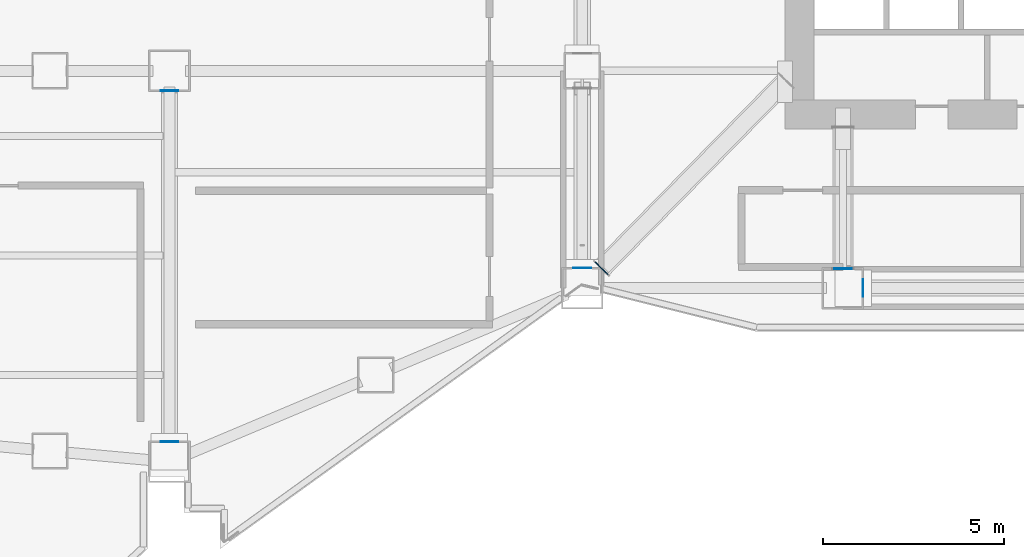
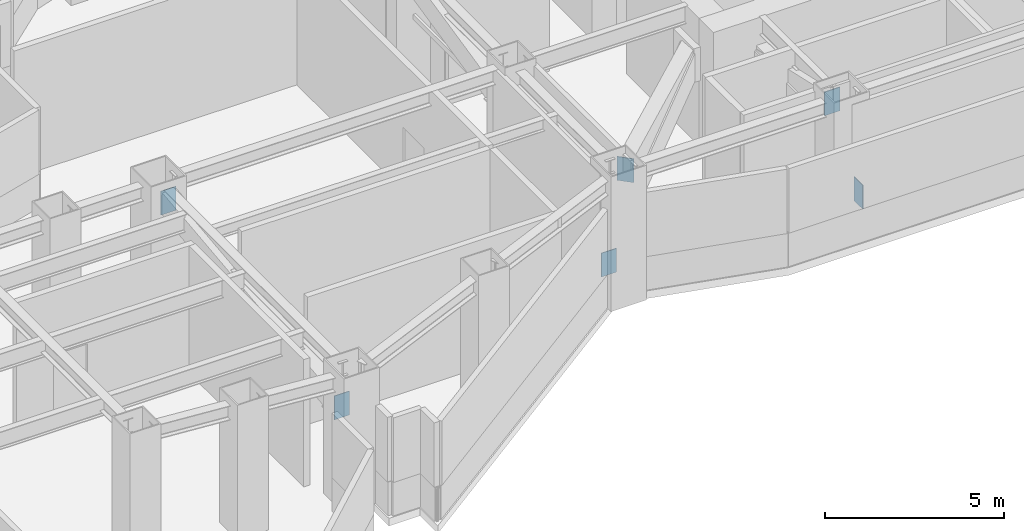
# One storey, part 7 of 23: 6 plates.
"""IFC4 building model written with IfcOpenShell, lengths in metres."""

from ifc_helpers import new_model, si_unit, direction, frame, origin, origin_2d, place, context, subcontext, project, spatial, rectangle, extrude, material, layer, layer_set, type_object, element, save


model = new_model("IFC4")

# Units and contexts
model_context = context("Model", 3, precision=1e-05, world=origin(), true_north=direction((0.0, 1.0)))
body_context = subcontext(model_context, "Body", "Model", "MODEL_VIEW")
ifc_project = project(units=[si_unit("LENGTHUNIT", "METRE"), si_unit("AREAUNIT", "SQUARE_METRE"), si_unit("VOLUMEUNIT", "CUBIC_METRE"), si_unit("PLANEANGLEUNIT", "RADIAN"), si_unit("MASSUNIT", "GRAM", prefix="KILO")], contexts=[model_context])

# Site, building, storey
site_placement = place(None, origin())
site = spatial("IfcSite", under=ifc_project, at=site_placement, CompositionType="ELEMENT")
building_placement = place(site_placement, origin())
building = spatial("IfcBuilding", under=site, at=building_placement, Name="Haolan Belvedere Tower", CompositionType="ELEMENT")
storey_placement = place(building_placement, frame((0.0, 0.0, 89.39990234375)))
storey = spatial("IfcBuildingStorey", under=building, at=storey_placement, Name="L22", CompositionType="ELEMENT", Elevation=89.39990234375)

# Plates
ifc_material = material(Name="Steel Q355B", Category="steel")
ifc_layer = layer(ifc_material, 0.02490234375, Name="Steel Q355B")
ifc_layer_set = layer_set([ifc_layer], Name="Steel Q355B")
plate_type = type_object("IfcPlateType", Name="PL-CAP-25", PredefinedType="SHEET", material=ifc_layer_set)
for number, where, z_axis, x_axis, name in (
    (1, (24.53515625, 22.144775390625, 3.386474609375), (0.0, 0.0, 1.0), (0.713336076052, -0.700822119088, 0.0), "Hollow steel end-cap plate OR-W2-L22-DG-CAP1"),
    (2, (31.199951171875, 22.1328125, 3.3876953125), (0.0, 0.0, 1.0), (1.0, 0.0, 0.0), "Hollow steel end-cap plate OR-S1-L22-DG-CAP1"),
    (3, (24.0, 22.154052734375, 0.388916015625), (0.0, 0.0, 1.0), (1.0, 0.0, 0.0), "Hollow steel end-cap plate BT-W1-L22-CAP0"),
    (4, (31.753662109375, 21.60009765625, 0.389892578125), (0.0, 0.0, 1.0), (0.0, -1.0, 0.0), "Hollow steel end-cap plate BT-S1-L22-CAP0"),
    (5, (12.60009765625, 17.3525390625, 2.41357421875), (0.0, 0.0, 1.0), (1.0, 0.0, 0.0), "Hollow steel end-cap plate BT-T2-L22-CAP0"),
    (6, (12.60009765625, 27.04736328125, 3.526611328125), (0.0, 0.0, 1.0), (-1.0, 0.0, 0.0), "Hollow steel end-cap plate BT-T2-L22-CAP1"),
):
    element("IfcPlate", number, at=place(storey_placement, frame(where, z_axis=z_axis, x_axis=x_axis)), inside=storey, type_object=plate_type, Name=name, PredefinedType="SHEET", context=body_context, shape_type="SweptSolid", body=[
        extrude(rectangle(XDim=0.489990234375, YDim=0.02490234375, at=origin_2d()), origin(), (0.0, 0.0, 1.0), 0.81005859375),
    ])

save(model, "model.ifc")
